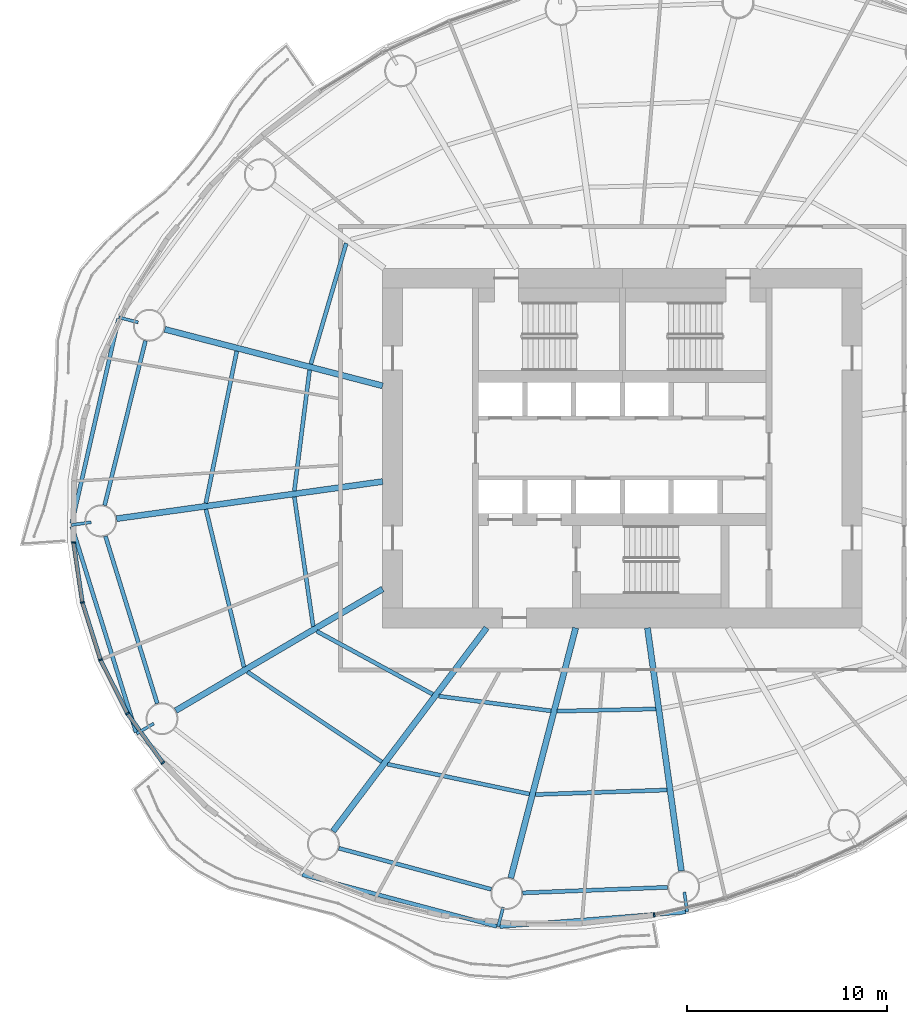
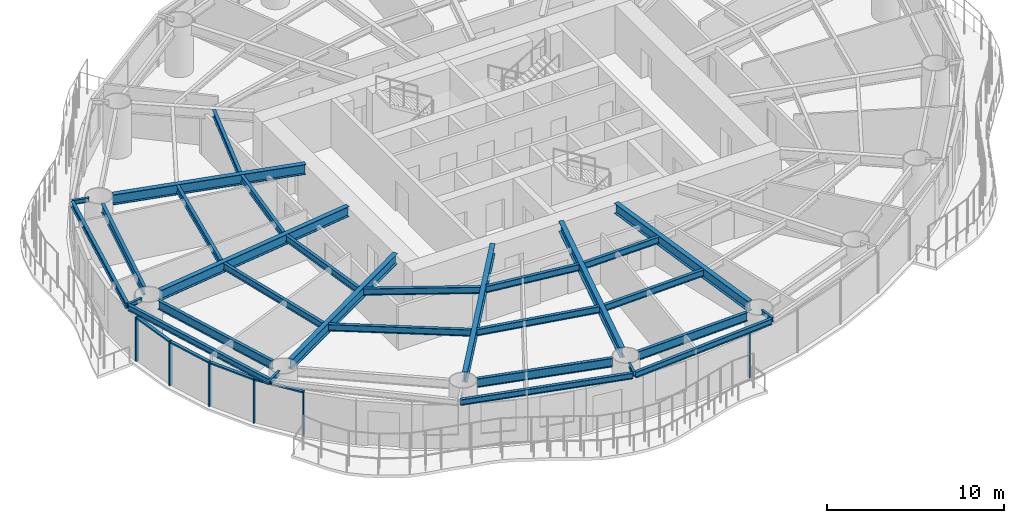
# One storey, part 2 of 15: 30 beams, 10 members, 5 elements without a shape of their own.
"""IFC4 building model written with IfcOpenShell, lengths in metres."""

from ifc_helpers import new_model, si_unit, direction, frame, origin, origin_2d, place, context, subcontext, project, spatial, rectangle, i_section, extrude, material, material_profile, profile_set, type_object, element, aggregate, save


model = new_model("IFC4")

# Units and contexts
model_context = context("Model", 3, precision=1e-05, world=origin(), true_north=direction((0.0, 1.0)))
body_context = subcontext(model_context, "Body", "Model", "MODEL_VIEW")
ifc_project = project(units=[si_unit("LENGTHUNIT", "METRE"), si_unit("AREAUNIT", "SQUARE_METRE"), si_unit("VOLUMEUNIT", "CUBIC_METRE"), si_unit("PLANEANGLEUNIT", "RADIAN"), si_unit("MASSUNIT", "GRAM", prefix="KILO")], contexts=[model_context])

# Site, building, storey
site_placement = place(None, origin())
site = spatial("IfcSite", under=ifc_project, at=site_placement, CompositionType="ELEMENT")
building_placement = place(site_placement, origin())
building = spatial("IfcBuilding", under=site, at=building_placement, Name="Vermilion Reach Broadcast Tower", CompositionType="ELEMENT")
storey_placement = place(building_placement, frame((0.0, 0.0, 121.0)))
storey = spatial("IfcBuildingStorey", under=building, at=storey_placement, Name="L28", CompositionType="ELEMENT", Elevation=121.0)

# Beams
ifc_material_1 = material(Name="Steel S355J2", Category="steel")
ifc_material_profile_1 = material_profile(ifc_material_1, i_section(OverallWidth=0.199951171875, OverallDepth=0.39990234375, WebThickness=0.008056640625, FlangeThickness=0.012939453125, at=origin_2d()), Name="S355J2 HN 400x200x8x13")
ifc_profile_set_1 = profile_set([ifc_material_profile_1], Name="Steel S355J2")
beam_type_1 = type_object("IfcBeamType", Name="EB2 HN 400x200x8x13", PredefinedType="BEAM", material=ifc_profile_set_1)
beam_1_placement = place(storey_placement, frame((-31.2177734375, 6.4677734375, 3.25), z_axis=(-0.222599486824, -0.974909979673, 0.0), x_axis=(0.974909979673, -0.222599486824, 0.0)))
element("IfcBeam", 1, at=beam_1_placement, inside=storey, type_object=beam_type_1, Name="Edge beam EB2-07", PredefinedType="BEAM", context=body_context, shape_type="SweptSolid", body=[
    extrude(i_section(OverallWidth=0.199951171875, OverallDepth=0.39990234375, WebThickness=0.008056640625, FlangeThickness=0.012939453125, at=origin_2d()), origin(), (0.0, 0.0, 1.0), 10.503662109375),
])
beam_2_placement = place(storey_placement, frame((-33.55126953125, -3.92333984375, 3.25), z_axis=(0.29777494454, -0.954636099466, 0.0), x_axis=(0.954636099466, 0.29777494454, 0.0)))
element("IfcBeam", 2, at=beam_2_placement, inside=storey, type_object=beam_type_1, Name="Edge beam EB2-08", PredefinedType="BEAM", context=body_context, shape_type="SweptSolid", body=[
    extrude(i_section(OverallWidth=0.199951171875, OverallDepth=0.39990234375, WebThickness=0.008056640625, FlangeThickness=0.012939453125, at=origin_2d()), origin(), (0.0, 0.0, 1.0), 10.787109375),
])
beam_3_placement = place(storey_placement, frame((-22.02197265625, -21.347900390625, 3.25), z_axis=(0.966440654869, -0.256889977648, 0.0), x_axis=(0.256889977648, 0.966440654869, 0.0)))
element("IfcBeam", 3, at=beam_3_placement, inside=storey, type_object=beam_type_1, Name="Edge beam EB2-10", PredefinedType="BEAM", context=body_context, shape_type="SweptSolid", body=[
    extrude(i_section(OverallWidth=0.199951171875, OverallDepth=0.39990234375, WebThickness=0.008056640625, FlangeThickness=0.012939453125, at=origin_2d()), origin(), (0.0, 0.0, 1.0), 10.070068359375),
])
beam_4_placement = place(storey_placement, frame((-12.13818359375, -23.94775390625, 3.25), z_axis=(0.996967692619, 0.077816578395, 0.0), x_axis=(-0.077816578395, 0.996967692619, 0.0)))
element("IfcBeam", 4, at=beam_4_placement, inside=storey, type_object=beam_type_1, Name="Edge beam EB2-11", PredefinedType="BEAM", context=body_context, shape_type="SweptSolid", body=[
    extrude(i_section(OverallWidth=0.199951171875, OverallDepth=0.39990234375, WebThickness=0.008056640625, FlangeThickness=0.012939453125, at=origin_2d()), origin(), (0.0, 0.0, 1.0), 9.333740234375),
])
ifc_material_2 = material(Name="Steel S355J2", Category="steel")
ifc_material_profile_2 = material_profile(ifc_material_2, i_section(OverallWidth=0.300048828125, OverallDepth=0.699951171875, WebThickness=0.012939453125, FlangeThickness=0.02392578125, at=origin_2d()), Name="S355J2 HN 700x300x13x24")
ifc_profile_set_2 = profile_set([ifc_material_profile_2], Name="Steel S355J2")
beam_type_2 = type_object("IfcBeamType", Name="G2 HN 700x300x13x24", PredefinedType="BEAM", material=ifc_profile_set_2)
beam_5_placement = place(storey_placement, frame((-18.0, 3.114501953125, 3.10009765625), z_axis=(-0.967926079816, 0.2512351568, 0.0), x_axis=(-0.2512351568, -0.967926079816, 0.0)))
element("IfcBeam", 5, at=beam_5_placement, inside=storey, type_object=beam_type_2, Name="Girder G2-07", PredefinedType="BEAM", context=body_context, shape_type="SweptSolid", body=[
    extrude(i_section(OverallWidth=0.300048828125, OverallDepth=0.699951171875, WebThickness=0.012939453125, FlangeThickness=0.02392578125, at=origin_2d()), origin(), (0.0, 0.0, 1.0), 11.265625),
])
beam_6_placement = place(storey_placement, frame((-18.0, -1.67578125, 3.10009765625), z_axis=(-0.990389457618, -0.138306623986, 0.0), x_axis=(0.138306623986, -0.990389457618, 0.0)))
element("IfcBeam", 6, at=beam_6_placement, inside=storey, type_object=beam_type_2, Name="Girder G2-08", PredefinedType="BEAM", context=body_context, shape_type="SweptSolid", body=[
    extrude(i_section(OverallWidth=0.300048828125, OverallDepth=0.699951171875, WebThickness=0.012939453125, FlangeThickness=0.02392578125, at=origin_2d()), origin(), (0.0, 0.0, 1.0), 13.445556640625),
])
beam_7_placement = place(storey_placement, frame((-18.0, -7.054443359375, 3.10009765625), z_axis=(-0.862071616631, -0.506786471603, 0.0), x_axis=(0.506786471603, -0.862071616631, 0.0)))
element("IfcBeam", 7, at=beam_7_placement, inside=storey, type_object=beam_type_2, Name="Girder G2-09", PredefinedType="BEAM", context=body_context, shape_type="SweptSolid", body=[
    extrude(i_section(OverallWidth=0.300048828125, OverallDepth=0.699951171875, WebThickness=0.012939453125, FlangeThickness=0.02392578125, at=origin_2d()), origin(), (0.0, 0.0, 1.0), 12.01025390625),
])
beam_8_placement = place(storey_placement, frame((-12.794189453125, -9.0, 3.10009765625), z_axis=(-0.602519842365, -0.798103902733, 0.0), x_axis=(0.798103902733, -0.602519842365, 0.0)))
element("IfcBeam", 8, at=beam_8_placement, inside=storey, type_object=beam_type_2, Name="Girder G2-10", PredefinedType="BEAM", context=body_context, shape_type="SweptSolid", body=[
    extrude(i_section(OverallWidth=0.300048828125, OverallDepth=0.699951171875, WebThickness=0.012939453125, FlangeThickness=0.02392578125, at=origin_2d()), origin(), (0.0, 0.0, 1.0), 12.758544921875),
])
beam_9_placement = place(storey_placement, frame((-8.3359375, -9.0, 3.10009765625), z_axis=(-0.25121695316, -0.967930804575, 0.0), x_axis=(0.967930804575, -0.25121695316, 0.0)))
element("IfcBeam", 9, at=beam_9_placement, inside=storey, type_object=beam_type_2, Name="Girder G2-11", PredefinedType="BEAM", context=body_context, shape_type="SweptSolid", body=[
    extrude(i_section(OverallWidth=0.300048828125, OverallDepth=0.699951171875, WebThickness=0.012939453125, FlangeThickness=0.02392578125, at=origin_2d()), origin(), (0.0, 0.0, 1.0), 12.93505859375),
])
beam_10_placement = place(storey_placement, frame((-4.7431640625, -9.0, 3.10009765625), z_axis=(0.138317561234, -0.990387930184, 0.0), x_axis=(0.990387930184, 0.138317561234, 0.0)))
element("IfcBeam", 10, at=beam_10_placement, inside=storey, type_object=beam_type_2, Name="Girder G2-12", PredefinedType="BEAM", context=body_context, shape_type="SweptSolid", body=[
    extrude(i_section(OverallWidth=0.300048828125, OverallDepth=0.699951171875, WebThickness=0.012939453125, FlangeThickness=0.02392578125, at=origin_2d()), origin(), (0.0, 0.0, 1.0), 12.281494140625),
])
ifc_material_3 = material(Name="Steel S355J2", Category="steel")
ifc_material_profile_3 = material_profile(ifc_material_3, i_section(OverallWidth=0.14990234375, OverallDepth=0.300048828125, WebThickness=0.006591796875, FlangeThickness=0.009033203125, at=origin_2d()), Name="S355J2 HN 300x150x6.5x9")
ifc_profile_set_3 = profile_set([ifc_material_profile_3], Name="Steel S355J2")
beam_type_3 = type_object("IfcBeamType", Name="GS2 HN 300x150x6.5x9", PredefinedType="BEAM", material=ifc_profile_set_3)
for number, where, z_axis, x_axis, name in (
    (11, (-30.233154296875, 6.289794921875, 3.300048828125), (-0.967935368459, 0.251199368006, 0.0), (-0.251199368006, -0.967935368459, 0.0), "Cantilever stub GS2-07"),
    (12, (-32.58349609375, -3.71240234375, 3.300048828125), (-0.990374567622, -0.138413206764, 0.0), (0.138413206764, -0.990374567622, 0.0), "Cantilever stub GS2-08"),
    (13, (-29.4541015625, -13.787841796875, 3.300048828125), (-0.862047161964, -0.506828068037, 0.0), (0.506828068037, -0.862047161964, 0.0), "Cantilever stub GS2-09"),
):
    element("IfcBeam", number, at=place(storey_placement, frame(where, z_axis=z_axis, x_axis=x_axis)), inside=storey, type_object=beam_type_3, Name=name, PredefinedType="BEAM", context=body_context, shape_type="SweptSolid", body=[
        extrude(i_section(OverallWidth=0.14990234375, OverallDepth=0.300048828125, WebThickness=0.006591796875, FlangeThickness=0.009033203125, at=origin_2d()), origin(), (0.0, 0.0, 1.0), 1.0),
    ])
beam_11_placement = place(storey_placement, frame((-11.966064453125, -22.986083984375, 3.300048828125), z_axis=(-0.251258738033, -0.967919958758, 0.0), x_axis=(0.967919958758, -0.251258738033, 0.0)))
element("IfcBeam", 14, at=beam_11_placement, inside=storey, type_object=beam_type_3, Name="Cantilever stub GS2-11", PredefinedType="BEAM", context=body_context, shape_type="SweptSolid", body=[
    extrude(i_section(OverallWidth=0.14990234375, OverallDepth=0.300048828125, WebThickness=0.006591796875, FlangeThickness=0.009033203125, at=origin_2d()), origin(), (0.0, 0.0, 1.0), 0.999755859375),
])
beam_12_placement = place(storey_placement, frame((-2.896240234375, -22.22509765625, 3.300048828125), z_axis=(0.13817375644, -0.990408003315, 0.0), x_axis=(0.990408003315, 0.13817375644, 0.0)))
element("IfcBeam", 15, at=beam_12_placement, inside=storey, type_object=beam_type_3, Name="Cantilever stub GS2-12", PredefinedType="BEAM", context=body_context, shape_type="SweptSolid", body=[
    extrude(i_section(OverallWidth=0.14990234375, OverallDepth=0.300048828125, WebThickness=0.006591796875, FlangeThickness=0.009033203125, at=origin_2d()), origin(), (0.0, 0.0, 1.0), 1.0),
])
ifc_material_4 = material(Name="Steel S355J2", Category="steel")
ifc_material_profile_4 = material_profile(ifc_material_4, i_section(OverallWidth=0.199951171875, OverallDepth=0.60009765625, WebThickness=0.010986328125, FlangeThickness=0.01708984375, at=origin_2d()), Name="S355J2 HN 600x200x11x17")
ifc_profile_set_4 = profile_set([ifc_material_profile_4], Name="Steel S355J2")
beam_type_4 = type_object("IfcBeamType", Name="RB2 HN 600x200x11x17", PredefinedType="BEAM", material=ifc_profile_set_4)
beam_13_placement = place(storey_placement, frame((-29.871337890625, 5.369384765625, 3.14990234375), z_axis=(-0.240863809798, -0.970558924089, 0.0), x_axis=(0.970558924089, -0.240863809798, 0.0)))
element("IfcBeam", 16, at=beam_13_placement, inside=storey, type_object=beam_type_4, Name="Ring beam RB2-07", PredefinedType="BEAM", context=body_context, shape_type="SweptSolid", body=[
    extrude(i_section(OverallWidth=0.199951171875, OverallDepth=0.60009765625, WebThickness=0.010986328125, FlangeThickness=0.01708984375, at=origin_2d()), origin(), (0.0, 0.0, 1.0), 8.489013671875),
])
beam_14_placement = place(storey_placement, frame((-31.872314453125, -4.410400390625, 3.14990234375), z_axis=(0.295788439635, -0.95525347368, 0.0), x_axis=(0.95525347368, 0.295788439635, 0.0)))
element("IfcBeam", 17, at=beam_14_placement, inside=storey, type_object=beam_type_4, Name="Ring beam RB2-08", PredefinedType="BEAM", context=body_context, shape_type="SweptSolid", body=[
    extrude(i_section(OverallWidth=0.199951171875, OverallDepth=0.60009765625, WebThickness=0.010986328125, FlangeThickness=0.01708984375, at=origin_2d()), origin(), (0.0, 0.0, 1.0), 8.763916015625),
])
beam_15_placement = place(storey_placement, frame((-20.19091796875, -20.029296875, 3.14990234375), z_axis=(0.965541463834, -0.260249268234, 0.0), x_axis=(0.260249268234, 0.965541463834, 0.0)))
element("IfcBeam", 18, at=beam_15_placement, inside=storey, type_object=beam_type_4, Name="Ring beam RB2-10", PredefinedType="BEAM", context=body_context, shape_type="SweptSolid", body=[
    extrude(i_section(OverallWidth=0.199951171875, OverallDepth=0.60009765625, WebThickness=0.010986328125, FlangeThickness=0.01708984375, at=origin_2d()), origin(), (0.0, 0.0, 1.0), 7.904541015625),
])
beam_16_placement = place(storey_placement, frame((-10.987060546875, -22.263916015625, 3.14990234375), z_axis=(0.999268558327, 0.038240663418, 0.0), x_axis=(-0.038240663418, 0.999268558327, 0.0)))
element("IfcBeam", 19, at=beam_16_placement, inside=storey, type_object=beam_type_4, Name="Ring beam RB2-11", PredefinedType="BEAM", context=body_context, shape_type="SweptSolid", body=[
    extrude(i_section(OverallWidth=0.199951171875, OverallDepth=0.60009765625, WebThickness=0.010986328125, FlangeThickness=0.01708984375, at=origin_2d()), origin(), (0.0, 0.0, 1.0), 7.259033203125),
])
ifc_material_5 = material(Name="Steel S355J2", Category="steel")
ifc_material_profile_5 = material_profile(ifc_material_5, i_section(OverallWidth=0.199951171875, OverallDepth=0.449951171875, WebThickness=0.009033203125, FlangeThickness=0.013916015625, at=origin_2d()), Name="S355J2 HN 450x200x9x14")
ifc_profile_set_5 = profile_set([ifc_material_profile_5], Name="Steel S355J2")
beam_type_5 = type_object("IfcBeamType", Name="SB2 HN 450x200x9x14", PredefinedType="BEAM", material=ifc_profile_set_5)
beam_17_placement = place(storey_placement, frame((-19.821533203125, 10.246337890625, 3.22509765625), z_axis=(-0.281175657723, -0.959656318431, 0.0), x_axis=(0.959656318431, -0.281175657723, 0.0)))
element("IfcBeam", 20, at=beam_17_placement, inside=storey, type_object=beam_type_5, Name="Secondary beam SB2-06-1", PredefinedType="BEAM", context=body_context, shape_type="SweptSolid", body=[
    extrude(i_section(OverallWidth=0.199951171875, OverallDepth=0.449951171875, WebThickness=0.009033203125, FlangeThickness=0.013916015625, at=origin_2d()), origin(), (0.0, 0.0, 1.0), 6.298583984375),
])
beam_18_placement = place(storey_placement, frame((-21.65380859375, 3.907958984375, 3.22509765625), z_axis=(-0.125557241128, -0.992086376885, 0.0), x_axis=(0.992086376885, -0.125557241128, 0.0)))
element("IfcBeam", 21, at=beam_18_placement, inside=storey, type_object=beam_type_5, Name="Secondary beam SB2-07-1", PredefinedType="BEAM", context=body_context, shape_type="SweptSolid", body=[
    extrude(i_section(OverallWidth=0.199951171875, OverallDepth=0.449951171875, WebThickness=0.009033203125, FlangeThickness=0.013916015625, at=origin_2d()), origin(), (0.0, 0.0, 1.0), 6.097900390625),
])
beam_19_placement = place(storey_placement, frame((-25.29931640625, 4.854248046875, 3.22509765625), z_axis=(-0.19906416804, -0.979986457561, 0.0), x_axis=(0.979986457561, -0.19906416804, 0.0)))
element("IfcBeam", 22, at=beam_19_placement, inside=storey, type_object=beam_type_5, Name="Secondary beam SB2-07-2", PredefinedType="BEAM", context=body_context, shape_type="SweptSolid", body=[
    extrude(i_section(OverallWidth=0.199951171875, OverallDepth=0.449951171875, WebThickness=0.009033203125, FlangeThickness=0.013916015625, at=origin_2d()), origin(), (0.0, 0.0, 1.0), 7.76953125),
])
beam_20_placement = place(storey_placement, frame((-22.417236328125, -2.444091796875, 3.22509765625), z_axis=(0.143973706518, -0.989581513485, 0.0), x_axis=(0.989581513485, 0.143973706518, 0.0)))
element("IfcBeam", 23, at=beam_20_placement, inside=storey, type_object=beam_type_5, Name="Secondary beam SB2-08-1", PredefinedType="BEAM", context=body_context, shape_type="SweptSolid", body=[
    extrude(i_section(OverallWidth=0.199951171875, OverallDepth=0.449951171875, WebThickness=0.009033203125, FlangeThickness=0.013916015625, at=origin_2d()), origin(), (0.0, 0.0, 1.0), 6.547119140625),
])
beam_21_placement = place(storey_placement, frame((-26.84228515625, -3.06201171875, 3.22509765625), z_axis=(0.234260568382, -0.972173845617, 0.0), x_axis=(0.972173845617, 0.234260568382, 0.0)))
element("IfcBeam", 24, at=beam_21_placement, inside=storey, type_object=beam_type_5, Name="Secondary beam SB2-08-2", PredefinedType="BEAM", context=body_context, shape_type="SweptSolid", body=[
    extrude(i_section(OverallWidth=0.199951171875, OverallDepth=0.449951171875, WebThickness=0.009033203125, FlangeThickness=0.013916015625, at=origin_2d()), origin(), (0.0, 0.0, 1.0), 8.123779296875),
])
beam_22_placement = place(storey_placement, frame((-21.29736328125, -9.1669921875, 3.22509765625), z_axis=(0.878713106774, -0.477350265512, 0.0), x_axis=(0.477350265512, 0.878713106774, 0.0)))
element("IfcBeam", 25, at=beam_22_placement, inside=storey, type_object=beam_type_5, Name="Secondary beam SB2-09-1", PredefinedType="BEAM", context=body_context, shape_type="SweptSolid", body=[
    extrude(i_section(OverallWidth=0.199951171875, OverallDepth=0.449951171875, WebThickness=0.009033203125, FlangeThickness=0.013916015625, at=origin_2d()), origin(), (0.0, 0.0, 1.0), 6.60888671875),
])
beam_23_placement = place(storey_placement, frame((-24.76416015625, -11.204833984375, 3.22509765625), z_axis=(0.830915400975, -0.556398774641, 0.0), x_axis=(0.556398774641, 0.830915400975, 0.0)))
element("IfcBeam", 26, at=beam_23_placement, inside=storey, type_object=beam_type_5, Name="Secondary beam SB2-09-2", PredefinedType="BEAM", context=body_context, shape_type="SweptSolid", body=[
    extrude(i_section(OverallWidth=0.199951171875, OverallDepth=0.449951171875, WebThickness=0.009033203125, FlangeThickness=0.013916015625, at=origin_2d()), origin(), (0.0, 0.0, 1.0), 8.087646484375),
])
beam_24_placement = place(storey_placement, frame((-15.185546875, -12.416748046875, 3.22509765625), z_axis=(0.991498686864, -0.130116693573, 0.0), x_axis=(0.130116693573, 0.991498686864, 0.0)))
element("IfcBeam", 27, at=beam_24_placement, inside=storey, type_object=beam_type_5, Name="Secondary beam SB2-10-1", PredefinedType="BEAM", context=body_context, shape_type="SweptSolid", body=[
    extrude(i_section(OverallWidth=0.199951171875, OverallDepth=0.449951171875, WebThickness=0.009033203125, FlangeThickness=0.013916015625, at=origin_2d()), origin(), (0.0, 0.0, 1.0), 5.66455078125),
])
beam_25_placement = place(storey_placement, frame((-17.7568359375, -15.822509765625, 3.22509765625), z_axis=(0.978631382549, -0.205622511148, 0.0), x_axis=(0.205622511148, 0.978631382549, 0.0)))
element("IfcBeam", 28, at=beam_25_placement, inside=storey, type_object=beam_type_5, Name="Secondary beam SB2-10-2", PredefinedType="BEAM", context=body_context, shape_type="SweptSolid", body=[
    extrude(i_section(OverallWidth=0.199951171875, OverallDepth=0.449951171875, WebThickness=0.009033203125, FlangeThickness=0.013916015625, at=origin_2d()), origin(), (0.0, 0.0, 1.0), 7.262939453125),
])
beam_26_placement = place(storey_placement, frame((-9.26318359375, -13.169921875, 3.22509765625), z_axis=(0.999742320425, 0.022700060602, 0.0), x_axis=(-0.022700060602, 0.999742320425, 0.0)))
element("IfcBeam", 29, at=beam_26_placement, inside=storey, type_object=beam_type_5, Name="Secondary beam SB2-11-1", PredefinedType="BEAM", context=body_context, shape_type="SweptSolid", body=[
    extrude(i_section(OverallWidth=0.199951171875, OverallDepth=0.449951171875, WebThickness=0.009033203125, FlangeThickness=0.013916015625, at=origin_2d()), origin(), (0.0, 0.0, 1.0), 4.9365234375),
])
beam_27_placement = place(storey_placement, frame((-10.345947265625, -17.34130859375, 3.22509765625), z_axis=(0.999404722387, 0.03449928797, 0.0), x_axis=(-0.03449928797, 0.999404722387, 0.0)))
element("IfcBeam", 30, at=beam_27_placement, inside=storey, type_object=beam_type_5, Name="Secondary beam SB2-11-2", PredefinedType="BEAM", context=body_context, shape_type="SweptSolid", body=[
    extrude(i_section(OverallWidth=0.199951171875, OverallDepth=0.449951171875, WebThickness=0.009033203125, FlangeThickness=0.013916015625, at=origin_2d()), origin(), (0.0, 0.0, 1.0), 6.58837890625),
])

# Curtain wall, member
ifc_material_6 = material(Name="Low-e laminated clear glass in aluminium frame", Category="aluminium")
curtain_wall_type = type_object("IfcCurtainWallType", Name="Slot curtain wall", PredefinedType="NOTDEFINED", material=ifc_material_6)
placement = place(storey_placement, origin())
curtain_wall_1 = element("IfcCurtainWall", 31, at=placement, inside=storey, type_object=curtain_wall_type, Name="Slot curtain wall L28 22", PredefinedType="NOTDEFINED")
ifc_material_7 = material(Name="Anodised aluminium", Category="aluminium")
ifc_material_profile_6 = material_profile(ifc_material_7, rectangle(XDim=0.199951171875, YDim=0.080078125, at=origin_2d()), Name="Slot mullion 80 x 200")
ifc_profile_set_6 = profile_set([ifc_material_profile_6], Name="Anodised aluminium")
member_type_1 = type_object("IfcMemberType", Name="Slot mullion 80 x 200", PredefinedType="MULLION", material=ifc_profile_set_6)
member_1_placement = place(storey_placement, frame((-33.471923828125, -4.724365234375, 0.0), z_axis=(0.0, 0.0, 1.0), x_axis=(0.997556058222, 0.069870671271, 0.0)))
member_1 = element("IfcMember", 32, at=member_1_placement, type_object=member_type_1, Name="Slot mullion L28 22", PredefinedType="MULLION", context=body_context, shape_type="SweptSolid", body=[
    extrude(rectangle(XDim=0.199951171875, YDim=0.080078125, at=origin_2d()), origin(), (0.0, 0.0, 1.0), 3.050048828125),
])

curtain_wall_2 = element("IfcCurtainWall", 33, at=placement, inside=storey, type_object=curtain_wall_type, Name="Slot curtain wall L28 23", PredefinedType="NOTDEFINED")
member_2_placement = place(storey_placement, frame((-33.026611328125, -7.726318359375, 0.0), z_axis=(0.0, 0.0, 1.0), x_axis=(0.974483307228, 0.224459982925, 0.0)))
member_2 = element("IfcMember", 34, at=member_2_placement, type_object=member_type_1, Name="Slot mullion L28 23", PredefinedType="MULLION", context=body_context, shape_type="SweptSolid", body=[
    extrude(rectangle(XDim=0.199951171875, YDim=0.080078125, at=origin_2d()), origin(), (0.0, 0.0, 1.0), 3.050048828125),
])

curtain_wall_3 = element("IfcCurtainWall", 35, at=placement, inside=storey, type_object=curtain_wall_type, Name="Slot curtain wall L28 24", PredefinedType="NOTDEFINED")
member_3_placement = place(storey_placement, frame((-32.121337890625, -10.59619140625, 0.0), z_axis=(0.0, 0.0, 1.0), x_axis=(0.926659833436, 0.375900988421, 0.0)))
member_3 = element("IfcMember", 36, at=member_3_placement, type_object=member_type_1, Name="Slot mullion L28 24", PredefinedType="MULLION", context=body_context, shape_type="SweptSolid", body=[
    extrude(rectangle(XDim=0.199951171875, YDim=0.080078125, at=origin_2d()), origin(), (0.0, 0.0, 1.0), 3.050048828125),
])

# Curtain wall, members
curtain_wall_4 = element("IfcCurtainWall", 37, at=placement, inside=storey, type_object=curtain_wall_type, Name="Slot curtain wall L28 25", PredefinedType="NOTDEFINED")
member_4_placement = place(storey_placement, frame((-30.771484375, -13.28564453125, 0.0), z_axis=(0.0, 0.0, 1.0), x_axis=(0.855464819556, 0.517860929693, 0.0)))
member_4 = element("IfcMember", 38, at=member_4_placement, type_object=member_type_1, Name="Slot mullion L28 25", PredefinedType="MULLION", context=body_context, shape_type="SweptSolid", body=[
    extrude(rectangle(XDim=0.199951171875, YDim=0.080078125, at=origin_2d()), origin(), (0.0, 0.0, 1.0), 3.050048828125),
])
member_5_placement = place(storey_placement, frame((-28.99951171875, -15.74951171875, 0.0), z_axis=(0.0, 0.0, 1.0), x_axis=(0.764320389908, 0.644836678214, 0.0)))
member_5 = element("IfcMember", 39, at=member_5_placement, type_object=member_type_1, Name="Slot mullion L28 26", PredefinedType="MULLION", context=body_context, shape_type="SweptSolid", body=[
    extrude(rectangle(XDim=0.199951171875, YDim=0.080078125, at=origin_2d()), origin(), (0.0, 0.0, 1.0), 3.050048828125),
])

# Curtain wall, member
curtain_wall_5 = element("IfcCurtainWall", 40, at=placement, inside=storey, type_object=curtain_wall_type, Name="Slot curtain wall L28 34", PredefinedType="NOTDEFINED")
member_6_placement = place(storey_placement, frame((-4.40673828125, -23.37158203125, 0.0), z_axis=(0.0, 0.0, 1.0), x_axis=(-0.168128050561, 0.98576516403, 0.0)))
member_6 = element("IfcMember", 41, at=member_6_placement, type_object=member_type_1, Name="Slot mullion L28 34", PredefinedType="MULLION", context=body_context, shape_type="SweptSolid", body=[
    extrude(rectangle(XDim=0.199951171875, YDim=0.080078125, at=origin_2d()), origin(), (0.0, 0.0, 1.0), 3.050048828125),
])
aggregate(curtain_wall_5, [member_6])

# Member
ifc_material_8 = material(Name="Anodised aluminium", Category="aluminium")
ifc_material_profile_7 = material_profile(ifc_material_8, rectangle(XDim=0.199951171875, YDim=0.10009765625, at=origin_2d()), Name="Slot transom 200 x 100")
ifc_profile_set_7 = profile_set([ifc_material_profile_7], Name="Anodised aluminium")
member_type_2 = type_object("IfcMemberType", Name="Slot transom 200 x 100", PredefinedType="USERDEFINED", material=ifc_profile_set_7)
member_7_placement = place(storey_placement, frame((-33.466064453125, -4.763916015625, 3.0), z_axis=(0.146740301759, -0.989175052172, 0.0), x_axis=(0.989175052172, 0.146740301759, 0.0)))
member_7 = element("IfcMember", 42, at=member_7_placement, type_object=member_type_2, Name="Slot transom L28 22.1", ObjectType="TRANSOM", PredefinedType="USERDEFINED", context=body_context, shape_type="SweptSolid", body=[
    extrude(rectangle(XDim=0.199951171875, YDim=0.10009765625, at=origin_2d()), origin(), (0.0, 0.0, 1.0), 2.954833984375),
])

aggregate(curtain_wall_1, [member_1, member_7])

member_8_placement = place(storey_placement, frame((-33.0146484375, -7.7646484375, 3.0), z_axis=(0.300808240233, -0.953684645262, 0.0), x_axis=(0.953684645262, 0.300808240233, 0.0)))
member_8 = element("IfcMember", 43, at=member_8_placement, type_object=member_type_2, Name="Slot transom L28 23.1", ObjectType="TRANSOM", PredefinedType="USERDEFINED", context=body_context, shape_type="SweptSolid", body=[
    extrude(rectangle(XDim=0.199951171875, YDim=0.10009765625, at=origin_2d()), origin(), (0.0, 0.0, 1.0), 2.92919921875),
])

aggregate(curtain_wall_2, [member_2, member_8])

member_9_placement = place(storey_placement, frame((-32.103515625, -10.6318359375, 3.0), z_axis=(0.448579983646, -0.893742691311, 0.0), x_axis=(0.893742691311, 0.448579983646, 0.0)))
member_9 = element("IfcMember", 44, at=member_9_placement, type_object=member_type_2, Name="Slot transom L28 24.1", ObjectType="TRANSOM", PredefinedType="USERDEFINED", context=body_context, shape_type="SweptSolid", body=[
    extrude(rectangle(XDim=0.199951171875, YDim=0.10009765625, at=origin_2d()), origin(), (0.0, 0.0, 1.0), 2.92919921875),
])

aggregate(curtain_wall_3, [member_3, member_9])

member_10_placement = place(storey_placement, frame((-30.748291015625, -13.318115234375, 3.0), z_axis=(0.583939026254, -0.811797520086, 0.0), x_axis=(0.811797520086, 0.583939026254, 0.0)))
member_10 = element("IfcMember", 45, at=member_10_placement, type_object=member_type_2, Name="Slot transom L28 25.1", ObjectType="TRANSOM", PredefinedType="USERDEFINED", context=body_context, shape_type="SweptSolid", body=[
    extrude(rectangle(XDim=0.199951171875, YDim=0.10009765625, at=origin_2d()), origin(), (0.0, 0.0, 1.0), 2.955078125),
])

aggregate(curtain_wall_4, [member_4, member_5, member_10])

save(model, "model.ifc")
